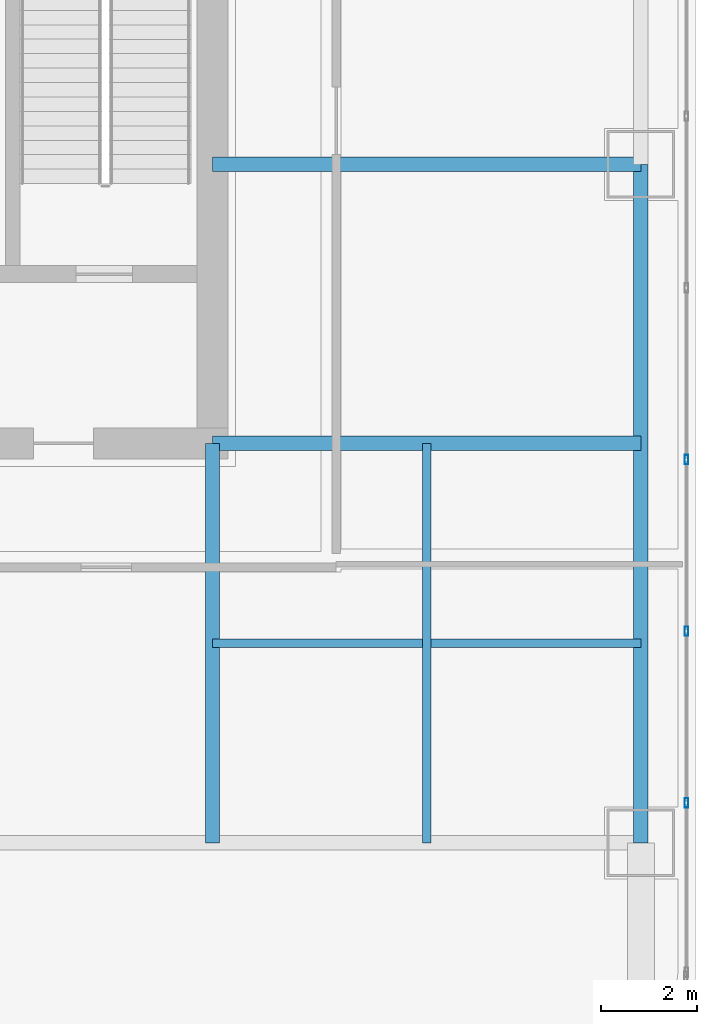
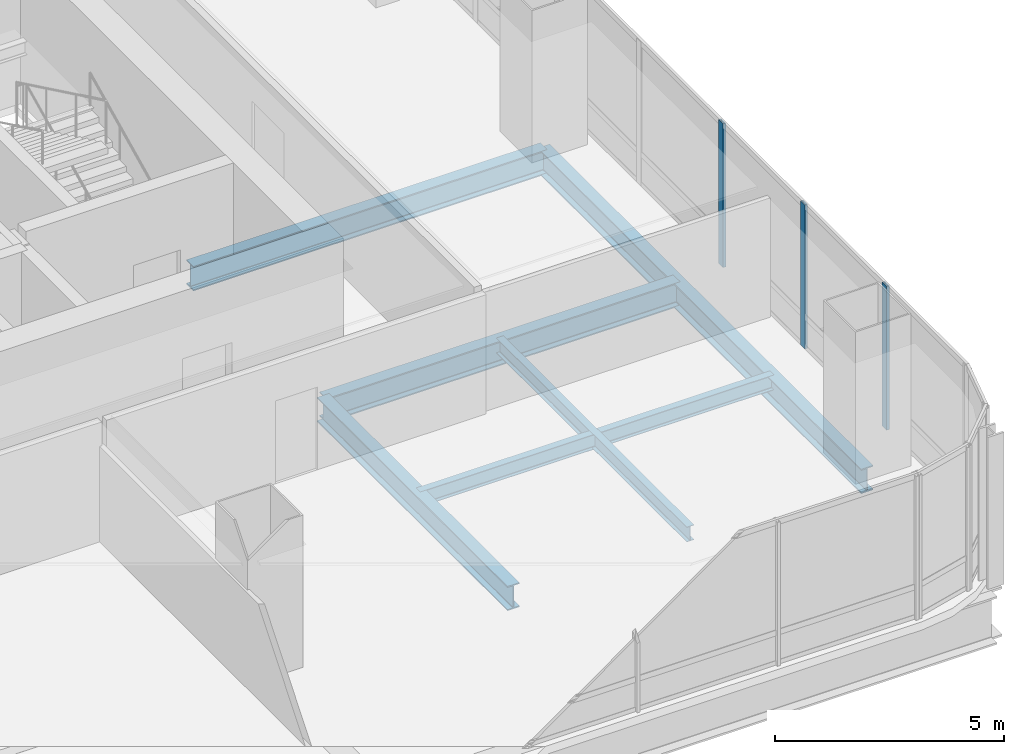
# One storey, part 14 of 36: 6 beams, 3 members, 1 element without a shape of its own.
"""IFC4 building model written with IfcOpenShell, lengths in metres."""

from ifc_helpers import new_model, si_unit, direction, frame, origin, origin_2d, place, context, subcontext, project, spatial, hollow_rectangle, i_section, extrude, material, material_profile, profile_set, type_object, element, aggregate, save


model = new_model("IFC4")

# Units and contexts
model_context = context("Model", 3, precision=1e-05, world=origin(), true_north=direction((0.0, 1.0)))
body_context = subcontext(model_context, "Body", "Model", "MODEL_VIEW")
ifc_project = project(units=[si_unit("LENGTHUNIT", "METRE"), si_unit("AREAUNIT", "SQUARE_METRE"), si_unit("VOLUMEUNIT", "CUBIC_METRE"), si_unit("PLANEANGLEUNIT", "RADIAN"), si_unit("MASSUNIT", "GRAM", prefix="KILO")], contexts=[model_context])

# Site, building, storey
site_placement = place(None, origin())
site = spatial("IfcSite", under=ifc_project, at=site_placement, CompositionType="ELEMENT")
building_placement = place(site_placement, origin())
building = spatial("IfcBuilding", under=site, at=building_placement, Name="Punatoya Terracotta Tower", CompositionType="ELEMENT")
storey_placement = place(building_placement, frame((0.0, 0.0, 184.35009765625)))
storey = spatial("IfcBuildingStorey", under=building, at=storey_placement, Name="L43", CompositionType="ELEMENT", Elevation=184.35009765625)

# Beams
ifc_material_1 = material(Name="Steel S355", Category="steel")
ifc_material_profile_1 = material_profile(ifc_material_1, i_section(OverallWidth=0.300048828125, OverallDepth=0.64990234375, WebThickness=0.01611328125, FlangeThickness=0.031005859375, FilletRadius=0.01806640625, at=origin_2d()))
ifc_profile_set_1 = profile_set([ifc_material_profile_1], Name="Steel S355")
beam_type_1 = type_object("IfcBeamType", Name="BM-PRI-650", PredefinedType="BEAM", material=ifc_profile_set_1)
beam_1_placement = place(storey_placement, frame((19.10009765625, -17.5, -0.545166015625), z_axis=(0.0, 1.0, 0.0), x_axis=(-1.0, 0.0, 0.0)))
element("IfcBeam", 1, at=beam_1_placement, inside=storey, type_object=beam_type_1, Name="BM-L43-RG-E1", PredefinedType="BEAM", context=body_context, shape_type="SweptSolid", body=[
    extrude(i_section(OverallWidth=0.300048828125, OverallDepth=0.64990234375, WebThickness=0.01611328125, FlangeThickness=0.031005859375, FilletRadius=0.01806640625, at=origin_2d()), origin(), (0.0, 0.0, 1.0), 14.10009765625),
])
for number, where, z_axis, x_axis, name in (
    (2, (10.199951171875, -9.199951171875, -0.545166015625), (1.0, 0.0, 0.0), (0.0, 1.0, 0.0), "BM-L43-PR-ES"),
    (3, (10.199951171875, -3.39990234375, -0.545166015625), (1.0, 0.0, 0.0), (0.0, 1.0, 0.0), "BM-L43-PR-ED"),
):
    element("IfcBeam", number, at=place(storey_placement, frame(where, z_axis=z_axis, x_axis=x_axis)), inside=storey, type_object=beam_type_1, Name=name, PredefinedType="BEAM", context=body_context, shape_type="SweptSolid", body=[
        extrude(i_section(OverallWidth=0.300048828125, OverallDepth=0.64990234375, WebThickness=0.01611328125, FlangeThickness=0.031005859375, FilletRadius=0.01806640625, at=origin_2d()), origin(), (0.0, 0.0, 1.0), 8.900146484375),
    ])
beam_2_placement = place(storey_placement, frame((10.199951171875, -17.5, -0.545166015625), z_axis=(0.0, 1.0, 0.0), x_axis=(-1.0, 0.0, 0.0)))
element("IfcBeam", 4, at=beam_2_placement, inside=storey, type_object=beam_type_1, Name="BM-L43-PR-S4", PredefinedType="BEAM", context=body_context, shape_type="SweptSolid", body=[
    extrude(i_section(OverallWidth=0.300048828125, OverallDepth=0.64990234375, WebThickness=0.01611328125, FlangeThickness=0.031005859375, FilletRadius=0.01806640625, at=origin_2d()), origin(), (0.0, 0.0, 1.0), 8.300048828125),
])
ifc_material_profile_2 = material_profile(ifc_material_1, i_section(OverallWidth=0.179931640625, OverallDepth=0.39990234375, WebThickness=0.008544921875, FlangeThickness=0.013427734375, FilletRadius=0.01806640625, at=origin_2d()))
ifc_profile_set_2 = profile_set([ifc_material_profile_2], Name="Steel S355")
beam_type_2 = type_object("IfcBeamType", Name="BM-SEC-400", PredefinedType="JOIST", material=ifc_profile_set_2)
beam_3_placement = place(storey_placement, frame((10.199951171875, -13.35009765625, -0.420166015625), z_axis=(1.0, 0.0, 0.0), x_axis=(0.0, 1.0, 0.0)))
element("IfcBeam", 5, at=beam_3_placement, inside=storey, type_object=beam_type_2, Name="BM-L43-SJS-2", PredefinedType="JOIST", context=body_context, shape_type="SweptSolid", body=[
    extrude(i_section(OverallWidth=0.179931640625, OverallDepth=0.39990234375, WebThickness=0.008544921875, FlangeThickness=0.013427734375, FilletRadius=0.01806640625, at=origin_2d()), origin(), (0.0, 0.0, 1.0), 8.900146484375),
])
beam_4_placement = place(storey_placement, frame((14.64990234375, -17.5, -0.420166015625), z_axis=(0.0, 1.0, 0.0), x_axis=(-1.0, 0.0, 0.0)))
element("IfcBeam", 6, at=beam_4_placement, inside=storey, type_object=beam_type_2, Name="BM-L43-SJE-1", PredefinedType="JOIST", context=body_context, shape_type="SweptSolid", body=[
    extrude(i_section(OverallWidth=0.179931640625, OverallDepth=0.39990234375, WebThickness=0.008544921875, FlangeThickness=0.013427734375, FilletRadius=0.01806640625, at=origin_2d()), origin(), (0.0, 0.0, 1.0), 8.300048828125),
])

# Curtain wall, members
ifc_material_2 = material(Name="Aluminium 6063-T6 + Double Low-E Glass", Category="aluminium")
curtain_wall_type = type_object("IfcCurtainWallType", Name="CW-M2", PredefinedType="NOTDEFINED", material=ifc_material_2)
curtain_wall_placement = place(storey_placement, origin())
curtain_wall = element("IfcCurtainWall", 7, at=curtain_wall_placement, inside=storey, type_object=curtain_wall_type, Name="L43 Curtain Wall CW-L43-E05-1", PredefinedType="NOTDEFINED")
ifc_material_3 = material(Name="Aluminium 6063-T6", Category="aluminium")
ifc_material_profile_3 = material_profile(ifc_material_3, hollow_rectangle(XDim=0.072021484375, YDim=0.195068359375, WallThickness=0.00439453125, at=origin_2d()))
ifc_profile_set_3 = profile_set([ifc_material_profile_3], Name="Aluminium 6063-T6")
member_type = type_object("IfcMemberType", Name="CW-MUL-M2", PredefinedType="MULLION", material=ifc_profile_set_3)
member_1_placement = place(storey_placement, frame((20.050048828125, -16.66943359375, 0.0), z_axis=(0.0, 0.0, 1.0), x_axis=(1.0, 0.0, 0.0)))
member_1 = element("IfcMember", 8, at=member_1_placement, type_object=member_type, Name="CW-L43-E05-1 Mullion 01", PredefinedType="MULLION", context=body_context, shape_type="SweptSolid", body=[
    extrude(hollow_rectangle(XDim=0.072021484375, YDim=0.195068359375, WallThickness=0.00439453125, at=origin_2d()), origin(), (0.0, 0.0, 1.0), 3.829833984375),
])
member_2_placement = place(storey_placement, frame((20.050048828125, -13.10205078125, 0.0), z_axis=(0.0, 0.0, 1.0), x_axis=(1.0, 0.0, 0.0)))
member_2 = element("IfcMember", 9, at=member_2_placement, type_object=member_type, Name="CW-L43-E05-1 Mullion 02", PredefinedType="MULLION", context=body_context, shape_type="SweptSolid", body=[
    extrude(hollow_rectangle(XDim=0.072021484375, YDim=0.195068359375, WallThickness=0.00439453125, at=origin_2d()), origin(), (0.0, 0.0, 1.0), 3.829833984375),
])
member_3_placement = place(storey_placement, frame((20.050048828125, -9.534912109375, 0.0), z_axis=(0.0, 0.0, 1.0), x_axis=(1.0, 0.0, 0.0)))
member_3 = element("IfcMember", 10, at=member_3_placement, type_object=member_type, Name="CW-L43-E05-1 Mullion 03", PredefinedType="MULLION", context=body_context, shape_type="SweptSolid", body=[
    extrude(hollow_rectangle(XDim=0.072021484375, YDim=0.195068359375, WallThickness=0.00439453125, at=origin_2d()), origin(), (0.0, 0.0, 1.0), 3.829833984375),
])
aggregate(curtain_wall, [member_1, member_2, member_3])

save(model, "model.ifc")
